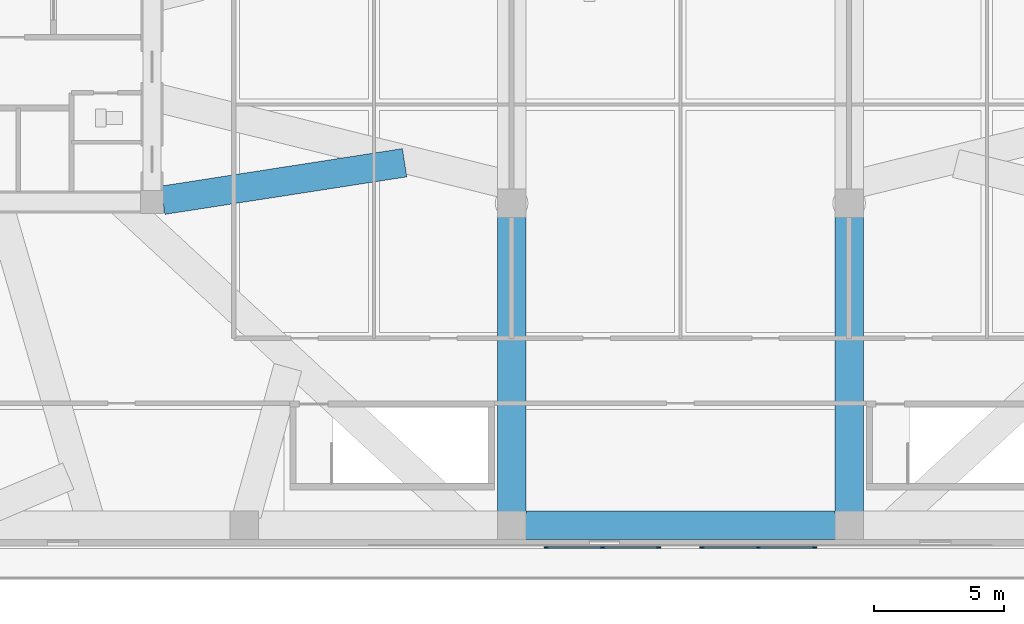
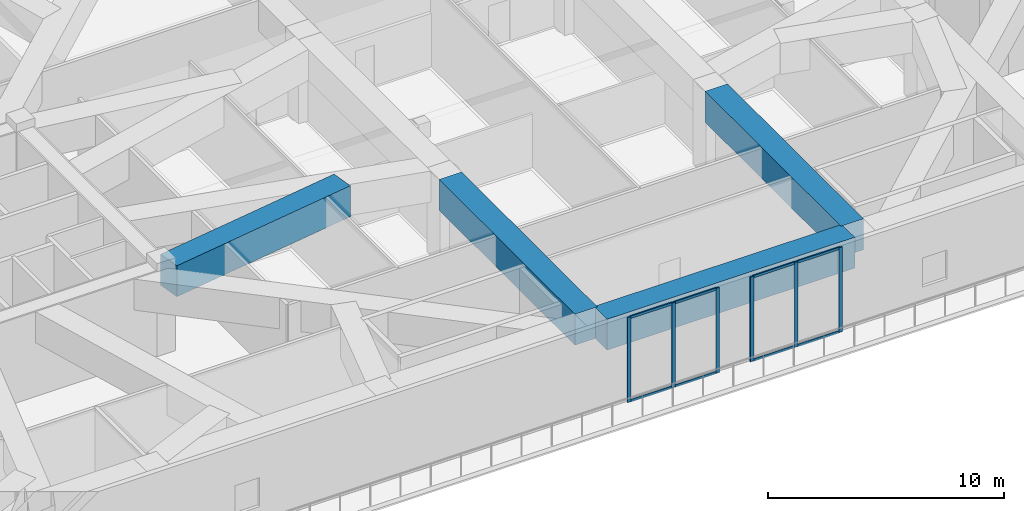
# One storey, part 2 of 21: 14 members, 4 beams, 2 elements without a shape of their own.
"""IFC4 building model written with IfcOpenShell, lengths in metres."""

from ifc_helpers import new_model, si_unit, direction, frame, origin, origin_2d, place, context, subcontext, project, spatial, rectangle, extrude, source, transform, mapped, material, layer, layer_set, material_profile, profile_set, type_object, type_shapes, element, aggregate, save


model = new_model("IFC4")

# Units and contexts
model_context = context("Model", 3, precision=1e-05, world=origin(), true_north=direction((0.0, 1.0)))
body_context = subcontext(model_context, "Body", "Model", "MODEL_VIEW")
ifc_project = project(units=[si_unit("LENGTHUNIT", "METRE"), si_unit("AREAUNIT", "SQUARE_METRE"), si_unit("VOLUMEUNIT", "CUBIC_METRE"), si_unit("PLANEANGLEUNIT", "RADIAN"), si_unit("MASSUNIT", "GRAM", prefix="KILO")], contexts=[model_context])

# Site, building, storey
site_placement = place(None, origin())
site = spatial("IfcSite", under=ifc_project, at=site_placement, CompositionType="ELEMENT")
building_placement = place(site_placement, origin())
building = spatial("IfcBuilding", under=site, at=building_placement, Name="Norrkilde Senior Care Towers", CompositionType="ELEMENT")
storey_placement = place(building_placement, frame((0.0, 0.0, 16.800048828125)))
storey = spatial("IfcBuildingStorey", under=building, at=storey_placement, Name="L04", CompositionType="ELEMENT", Elevation=16.800048828125)

# Beams
ifc_material_1 = material(Name="Concrete C60/75", Category="concrete")
ifc_material_profile_1 = material_profile(ifc_material_1, rectangle(XDim=1.10009765625, YDim=1.60009765625, at=origin_2d()), Name="RC TG 1100x1600")
ifc_profile_set_1 = profile_set([ifc_material_profile_1], Name="Concrete C60/75")
beam_type = type_object("IfcBeamType", Name="Transfer Girder Podium 1100x1600", PredefinedType="USERDEFINED", material=ifc_profile_set_1)
shared_shape_1 = source(origin(), body_context, "Body", "SweptSolid", [
    extrude(rectangle(XDim=1.10009765625, YDim=1.60009765625, at=origin_2d()), origin(), (0.0, 0.0, 1.0), 12.10009765625),
])
beam_1_placement = place(storey_placement, frame((-6.050048828125, -18.39990234375, 3.579833984375), z_axis=(1.0, 0.0, 0.0), x_axis=(0.0, 1.0, 0.0)))
element("IfcBeam", 1, at=beam_1_placement, inside=storey, type_object=beam_type, Name="L04 Podium Ring Transfer Girder 1.5", ObjectType="GIRDER", PredefinedType="USERDEFINED", context=body_context, shape_type="MappedRepresentation", body=[
    mapped(shared_shape_1, transform((0.0, 0.0, 0.0), x_axis=(1.0, 0.0, 0.0), y_axis=(0.0, 1.0, 0.0), z_axis=(0.0, 0.0, 1.0), scale=1.0)),
])
shared_shape_2 = source(origin(), body_context, "Body", "SweptSolid", [
    extrude(rectangle(XDim=1.10009765625, YDim=1.60009765625, at=origin_2d()), origin(), (0.0, 0.0, 1.0), 11.5),
])
for number, where, z_axis, x_axis, name in (
    (2, (-6.5, -17.949951171875, 3.579833984375), (0.0, 1.0, 0.0), (-1.0, 0.0, 0.0), "L04 Podium N-S Transfer Girder 2.1"),
    (3, (6.5, -17.949951171875, 3.579833984375), (0.0, 1.0, 0.0), (-1.0, 0.0, 0.0), "L04 Podium N-S Transfer Girder 3.1"),
):
    element("IfcBeam", number, at=place(storey_placement, frame(where, z_axis=z_axis, x_axis=x_axis)), inside=storey, type_object=beam_type, Name=name, ObjectType="GIRDER", PredefinedType="USERDEFINED", context=body_context, shape_type="MappedRepresentation", body=[
        mapped(shared_shape_2, transform((0.0, 0.0, 0.0), x_axis=(1.0, 0.0, 0.0), y_axis=(0.0, 1.0, 0.0), z_axis=(0.0, 0.0, 1.0), scale=1.0)),
    ])
shared_shape_3 = source(origin(), body_context, "Body", "SweptSolid", [
    extrude(rectangle(XDim=1.10009765625, YDim=1.60009765625, at=origin_2d()), origin(), (0.0, 0.0, 1.0), 9.42529296875),
])
type_shapes(beam_type, [shared_shape_1, shared_shape_2, shared_shape_3])
beam_2_placement = place(storey_placement, frame((-10.62109375, -4.440673828125, 3.579833984375), z_axis=(-0.988181075283, -0.153291103631, 0.0), x_axis=(0.153291103631, -0.988181075283, 0.0)))
element("IfcBeam", 4, at=beam_2_placement, inside=storey, type_object=beam_type, Name="L04 Transfer Diaphragm Tie W-12", ObjectType="GIRDER", PredefinedType="USERDEFINED", context=body_context, shape_type="MappedRepresentation", body=[
    mapped(shared_shape_3, transform((0.0, 0.0, 0.0), x_axis=(1.0, 0.0, 0.0), y_axis=(0.0, 1.0, 0.0), z_axis=(0.0, 0.0, 1.0), scale=1.0)),
])

# Curtain wall, members
ifc_material_2 = material(Name="Triple Low-E Insulated Glazing", Category="glass")
ifc_layer = layer(ifc_material_2, 0.219970703125)
ifc_layer_set = layer_set([ifc_layer], Name="Triple Low-E Insulated Glazing")
curtain_wall_type = type_object("IfcCurtainWallType", Name="CW1 Podium Clinic Terracotta Curtain Wall", PredefinedType="NOTDEFINED", material=ifc_layer_set)
curtain_wall_1_placement = place(storey_placement, origin())
curtain_wall_1 = element("IfcCurtainWall", 5, at=curtain_wall_1_placement, inside=storey, type_object=curtain_wall_type, Name="L04 Podium Portal Feature Curtain Wall 1", PredefinedType="NOTDEFINED")
ifc_material_3 = material(Name="Anodised Aluminium", Category="aluminium")
ifc_material_profile_2 = material_profile(ifc_material_3, rectangle(XDim=0.06494140625, YDim=0.1298828125, at=origin_2d()), Name="ALU TRAN 65x130")
ifc_profile_set_2 = profile_set([ifc_material_profile_2], Name="Anodised Aluminium")
member_type_1 = type_object("IfcMemberType", Name="Curtain Wall Transom Heavy 65x130", PredefinedType="USERDEFINED", material=ifc_profile_set_2)
shared_shape_4 = source(origin(), body_context, "Body", "SweptSolid", [
    extrude(rectangle(XDim=0.06494140625, YDim=0.1298828125, at=origin_2d()), origin(), (0.0, 0.0, 1.0), 2.094970703125),
])
type_shapes(member_type_1, [shared_shape_4])
member_1_placement = place(storey_placement, frame((-0.8701171875, -19.260009765625, 0.032470703125), z_axis=(-1.0, 0.0, 0.0), x_axis=(0.0, -1.0, 0.0)))
member_1 = element("IfcMember", 6, at=member_1_placement, type_object=member_type_1, Name="CW-1 transom 1.1", ObjectType="TRANSOM", PredefinedType="USERDEFINED", context=body_context, shape_type="MappedRepresentation", body=[
    mapped(shared_shape_4, transform((0.0, 0.0, 0.0), x_axis=(1.0, 0.0, 0.0), y_axis=(0.0, 1.0, 0.0), z_axis=(0.0, 0.0, 1.0), scale=1.0)),
])
member_2_placement = place(storey_placement, frame((-0.8701171875, -19.260009765625, 4.347412109375), z_axis=(-1.0, 0.0, 0.0), x_axis=(0.0, -1.0, 0.0)))
member_2 = element("IfcMember", 7, at=member_2_placement, type_object=member_type_1, Name="CW-1 transom 1.2", ObjectType="TRANSOM", PredefinedType="USERDEFINED", context=body_context, shape_type="MappedRepresentation", body=[
    mapped(shared_shape_4, transform((0.0, 0.0, 0.0), x_axis=(1.0, 0.0, 0.0), y_axis=(0.0, 1.0, 0.0), z_axis=(0.0, 0.0, 1.0), scale=1.0)),
])
member_3_placement = place(storey_placement, frame((-3.034912109375, -19.260009765625, 0.032470703125), z_axis=(-1.0, 0.0, 0.0), x_axis=(0.0, -1.0, 0.0)))
member_3 = element("IfcMember", 8, at=member_3_placement, type_object=member_type_1, Name="CW-1 transom 2.1", ObjectType="TRANSOM", PredefinedType="USERDEFINED", context=body_context, shape_type="MappedRepresentation", body=[
    mapped(shared_shape_4, transform((0.0, 0.0, 0.0), x_axis=(1.0, 0.0, 0.0), y_axis=(0.0, 1.0, 0.0), z_axis=(0.0, 0.0, 1.0), scale=1.0)),
])
member_4_placement = place(storey_placement, frame((-3.034912109375, -19.260009765625, 4.347412109375), z_axis=(-1.0, 0.0, 0.0), x_axis=(0.0, -1.0, 0.0)))
member_4 = element("IfcMember", 9, at=member_4_placement, type_object=member_type_1, Name="CW-1 transom 2.2", ObjectType="TRANSOM", PredefinedType="USERDEFINED", context=body_context, shape_type="MappedRepresentation", body=[
    mapped(shared_shape_4, transform((0.0, 0.0, 0.0), x_axis=(1.0, 0.0, 0.0), y_axis=(0.0, 1.0, 0.0), z_axis=(0.0, 0.0, 1.0), scale=1.0)),
])

curtain_wall_2_placement = place(storey_placement, origin())
curtain_wall_2 = element("IfcCurtainWall", 10, at=curtain_wall_2_placement, inside=storey, type_object=curtain_wall_type, Name="L04 Podium Portal Feature Curtain Wall 2", PredefinedType="NOTDEFINED")
member_5_placement = place(storey_placement, frame((5.1298828125, -19.260009765625, 0.032470703125), z_axis=(-1.0, 0.0, 0.0), x_axis=(0.0, -1.0, 0.0)))
member_5 = element("IfcMember", 11, at=member_5_placement, type_object=member_type_1, Name="CW-1 transom 1.1", ObjectType="TRANSOM", PredefinedType="USERDEFINED", context=body_context, shape_type="MappedRepresentation", body=[
    mapped(shared_shape_4, transform((0.0, 0.0, 0.0), x_axis=(1.0, 0.0, 0.0), y_axis=(0.0, 1.0, 0.0), z_axis=(0.0, 0.0, 1.0), scale=1.0)),
])
member_6_placement = place(storey_placement, frame((5.1298828125, -19.260009765625, 4.347412109375), z_axis=(-1.0, 0.0, 0.0), x_axis=(0.0, -1.0, 0.0)))
member_6 = element("IfcMember", 12, at=member_6_placement, type_object=member_type_1, Name="CW-1 transom 1.2", ObjectType="TRANSOM", PredefinedType="USERDEFINED", context=body_context, shape_type="MappedRepresentation", body=[
    mapped(shared_shape_4, transform((0.0, 0.0, 0.0), x_axis=(1.0, 0.0, 0.0), y_axis=(0.0, 1.0, 0.0), z_axis=(0.0, 0.0, 1.0), scale=1.0)),
])
member_7_placement = place(storey_placement, frame((2.965087890625, -19.260009765625, 0.032470703125), z_axis=(-1.0, 0.0, 0.0), x_axis=(0.0, -1.0, 0.0)))
member_7 = element("IfcMember", 13, at=member_7_placement, type_object=member_type_1, Name="CW-1 transom 2.1", ObjectType="TRANSOM", PredefinedType="USERDEFINED", context=body_context, shape_type="MappedRepresentation", body=[
    mapped(shared_shape_4, transform((0.0, 0.0, 0.0), x_axis=(1.0, 0.0, 0.0), y_axis=(0.0, 1.0, 0.0), z_axis=(0.0, 0.0, 1.0), scale=1.0)),
])
member_8_placement = place(storey_placement, frame((2.965087890625, -19.260009765625, 4.347412109375), z_axis=(-1.0, 0.0, 0.0), x_axis=(0.0, -1.0, 0.0)))
member_8 = element("IfcMember", 14, at=member_8_placement, type_object=member_type_1, Name="CW-1 transom 2.2", ObjectType="TRANSOM", PredefinedType="USERDEFINED", context=body_context, shape_type="MappedRepresentation", body=[
    mapped(shared_shape_4, transform((0.0, 0.0, 0.0), x_axis=(1.0, 0.0, 0.0), y_axis=(0.0, 1.0, 0.0), z_axis=(0.0, 0.0, 1.0), scale=1.0)),
])

# Member
ifc_material_profile_3 = material_profile(ifc_material_3, rectangle(XDim=0.070068359375, YDim=0.169921875, at=origin_2d()), Name="ALU MULL 70x170")
ifc_profile_set_3 = profile_set([ifc_material_profile_3], Name="Anodised Aluminium")
member_type_2 = type_object("IfcMemberType", Name="Curtain Wall Mullion Heavy 70x170", PredefinedType="MULLION", material=ifc_profile_set_3)
shared_shape_5 = source(origin(), body_context, "Body", "SweptSolid", [
    extrude(rectangle(XDim=0.070068359375, YDim=0.169921875, at=origin_2d()), origin(), (0.0, 0.0, 1.0), 4.3798828125),
])
type_shapes(member_type_2, [shared_shape_5])
member_9_placement = place(storey_placement, frame((-0.8349609375, -19.260009765625, 0.0), z_axis=(0.0, 0.0, 1.0), x_axis=(0.0, -1.0, 0.0)))
member_9 = element("IfcMember", 15, at=member_9_placement, type_object=member_type_2, Name="CW-1 mullion 1", PredefinedType="MULLION", context=body_context, shape_type="MappedRepresentation", body=[
    mapped(shared_shape_5, transform((0.0, 0.0, 0.0), x_axis=(1.0, 0.0, 0.0), y_axis=(0.0, 1.0, 0.0), z_axis=(0.0, 0.0, 1.0), scale=1.0)),
])

member_10_placement = place(storey_placement, frame((-3.0, -19.260009765625, 0.0), z_axis=(0.0, 0.0, 1.0), x_axis=(0.0, -1.0, 0.0)))
member_10 = element("IfcMember", 16, at=member_10_placement, type_object=member_type_2, Name="CW-1 mullion 2", PredefinedType="MULLION", context=body_context, shape_type="MappedRepresentation", body=[
    mapped(shared_shape_5, transform((0.0, 0.0, 0.0), x_axis=(1.0, 0.0, 0.0), y_axis=(0.0, 1.0, 0.0), z_axis=(0.0, 0.0, 1.0), scale=1.0)),
])

member_11_placement = place(storey_placement, frame((-5.1650390625, -19.260009765625, 0.0), z_axis=(0.0, 0.0, 1.0), x_axis=(0.0, -1.0, 0.0)))
member_11 = element("IfcMember", 17, at=member_11_placement, type_object=member_type_2, Name="CW-1 mullion 3", PredefinedType="MULLION", context=body_context, shape_type="MappedRepresentation", body=[
    mapped(shared_shape_5, transform((0.0, 0.0, 0.0), x_axis=(1.0, 0.0, 0.0), y_axis=(0.0, 1.0, 0.0), z_axis=(0.0, 0.0, 1.0), scale=1.0)),
])

aggregate(curtain_wall_1, [member_9, member_10, member_11, member_1, member_2, member_3, member_4])

member_12_placement = place(storey_placement, frame((5.1650390625, -19.260009765625, 0.0), z_axis=(0.0, 0.0, 1.0), x_axis=(0.0, -1.0, 0.0)))
member_12 = element("IfcMember", 18, at=member_12_placement, type_object=member_type_2, Name="CW-1 mullion 1", PredefinedType="MULLION", context=body_context, shape_type="MappedRepresentation", body=[
    mapped(shared_shape_5, transform((0.0, 0.0, 0.0), x_axis=(1.0, 0.0, 0.0), y_axis=(0.0, 1.0, 0.0), z_axis=(0.0, 0.0, 1.0), scale=1.0)),
])

member_13_placement = place(storey_placement, frame((3.0, -19.260009765625, 0.0), z_axis=(0.0, 0.0, 1.0), x_axis=(0.0, -1.0, 0.0)))
member_13 = element("IfcMember", 19, at=member_13_placement, type_object=member_type_2, Name="CW-1 mullion 2", PredefinedType="MULLION", context=body_context, shape_type="MappedRepresentation", body=[
    mapped(shared_shape_5, transform((0.0, 0.0, 0.0), x_axis=(1.0, 0.0, 0.0), y_axis=(0.0, 1.0, 0.0), z_axis=(0.0, 0.0, 1.0), scale=1.0)),
])

member_14_placement = place(storey_placement, frame((0.8349609375, -19.260009765625, 0.0), z_axis=(0.0, 0.0, 1.0), x_axis=(0.0, -1.0, 0.0)))
member_14 = element("IfcMember", 20, at=member_14_placement, type_object=member_type_2, Name="CW-1 mullion 3", PredefinedType="MULLION", context=body_context, shape_type="MappedRepresentation", body=[
    mapped(shared_shape_5, transform((0.0, 0.0, 0.0), x_axis=(1.0, 0.0, 0.0), y_axis=(0.0, 1.0, 0.0), z_axis=(0.0, 0.0, 1.0), scale=1.0)),
])

aggregate(curtain_wall_2, [member_12, member_13, member_14, member_5, member_6, member_7, member_8])

save(model, "model.ifc")
